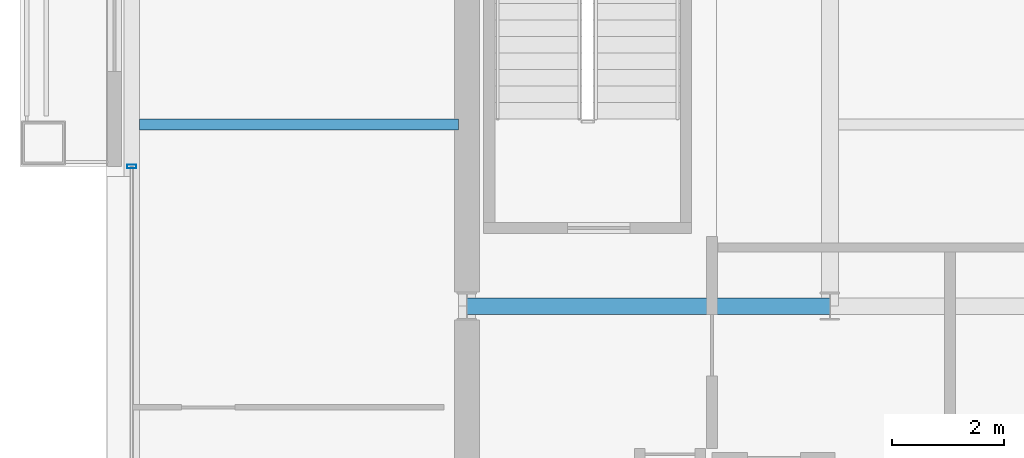
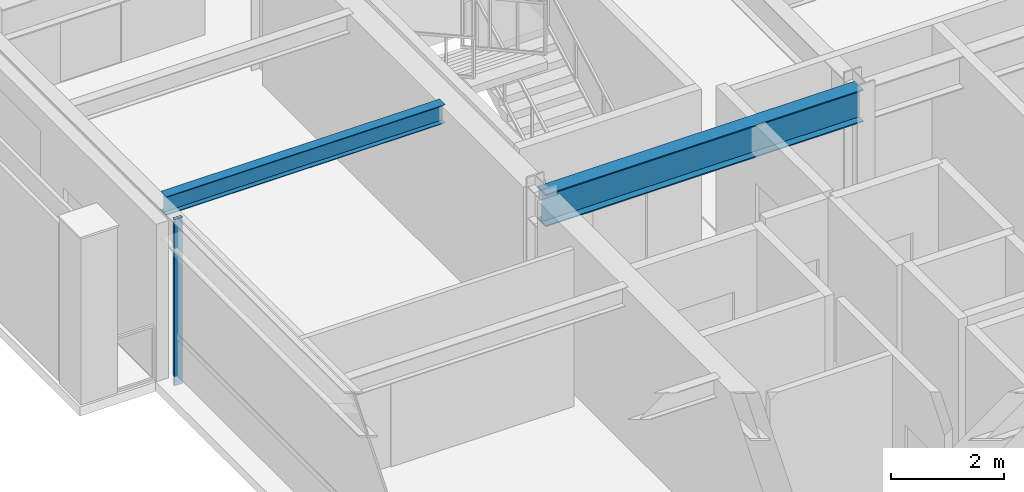
# One storey, part 9 of 28: 2 beams, 1 member, 1 element without a shape of its own.
"""IFC4 building model written with IfcOpenShell, lengths in metres."""

from ifc_helpers import new_model, si_unit, direction, frame, origin, origin_2d, place, context, subcontext, project, spatial, hollow_rectangle, i_section, extrude, material, layer, layer_set, material_profile, profile_set, type_object, element, aggregate, save


model = new_model("IFC4")

# Units and contexts
model_context = context("Model", 3, precision=1e-05, world=origin(), true_north=direction((0.0, 1.0)))
body_context = subcontext(model_context, "Body", "Model", "MODEL_VIEW")
ifc_project = project(units=[si_unit("LENGTHUNIT", "METRE"), si_unit("AREAUNIT", "SQUARE_METRE"), si_unit("VOLUMEUNIT", "CUBIC_METRE"), si_unit("PLANEANGLEUNIT", "RADIAN"), si_unit("MASSUNIT", "GRAM", prefix="KILO")], contexts=[model_context])

# Site, building, storey
site_placement = place(None, origin())
site = spatial("IfcSite", under=ifc_project, at=site_placement, CompositionType="ELEMENT")
building_placement = place(site_placement, origin())
building = spatial("IfcBuilding", under=site, at=building_placement, Name="Brelmoor Portico Tower", CompositionType="ELEMENT")
storey_placement = place(building_placement, frame((0.0, 0.0, 165.89990234375)))
storey = spatial("IfcBuildingStorey", under=building, at=storey_placement, Name="L43", CompositionType="ELEMENT", Elevation=165.89990234375)

# Beams
ifc_material_1 = material(Name="Steel Q355B", Category="steel")
ifc_material_profile_1 = material_profile(ifc_material_1, i_section(OverallWidth=0.199951171875, OverallDepth=0.39990234375, WebThickness=0.008056640625, FlangeThickness=0.012939453125, at=origin_2d()), Name="HN 400x200x8x13")
ifc_profile_set_1 = profile_set([ifc_material_profile_1], Name="Steel Q355B")
beam_type_1 = type_object("IfcBeamType", Name="BM-JS-400", PredefinedType="JOIST", material=ifc_profile_set_1)
beam_1_placement = place(storey_placement, frame((-20.409912109375, 3.25, 3.2001953125), z_axis=(1.0, 0.0, 0.0), x_axis=(0.0, 1.0, 0.0)))
element("IfcBeam", 1, at=beam_1_placement, inside=storey, type_object=beam_type_1, Name="L43 Secondary Wing Joist JS-W07", PredefinedType="JOIST", context=body_context, shape_type="SweptSolid", body=[
    extrude(i_section(OverallWidth=0.199951171875, OverallDepth=0.39990234375, WebThickness=0.008056640625, FlangeThickness=0.012939453125, at=origin_2d()), origin(), (0.0, 0.0, 1.0), 5.7099609375),
])
ifc_material_profile_2 = material_profile(ifc_material_1, i_section(OverallWidth=0.300048828125, OverallDepth=0.699951171875, WebThickness=0.012939453125, FlangeThickness=0.02392578125, at=origin_2d()), Name="HN 700x300x13x24")
ifc_profile_set_2 = profile_set([ifc_material_profile_2], Name="Steel Q355B")
beam_type_2 = type_object("IfcBeamType", Name="BM-PG-700", PredefinedType="BEAM", material=ifc_profile_set_2)
beam_2_placement = place(storey_placement, frame((-14.550048828125, 0.0, 3.050048828125), z_axis=(1.0, 0.0, 0.0), x_axis=(0.0, 1.0, 0.0)))
element("IfcBeam", 2, at=beam_2_placement, inside=storey, type_object=beam_type_2, Name="L43 Primary Floor Girder PG-16", PredefinedType="BEAM", context=body_context, shape_type="SweptSolid", body=[
    extrude(i_section(OverallWidth=0.300048828125, OverallDepth=0.699951171875, WebThickness=0.012939453125, FlangeThickness=0.02392578125, at=origin_2d()), origin(), (0.0, 0.0, 1.0), 6.5),
])

# Curtain wall, member
ifc_material_2 = material(Name="Anodised Aluminium Alloy 6063-T6", Category="aluminium")
ifc_layer = layer(ifc_material_2, 0.179931640625)
ifc_layer_set = layer_set([ifc_layer], Name="Anodised Aluminium Alloy 6063-T6")
curtain_wall_type = type_object("IfcCurtainWallType", Name="CW-TOWER-Z3", PredefinedType="NOTDEFINED", material=ifc_layer_set)
curtain_wall_placement = place(storey_placement, origin())
curtain_wall = element("IfcCurtainWall", 3, at=curtain_wall_placement, inside=storey, type_object=curtain_wall_type, Name="L43 Curtain Wall CW-L43-3L-2", PredefinedType="NOTDEFINED")
ifc_material_profile_3 = material_profile(ifc_material_2, hollow_rectangle(XDim=0.06494140625, YDim=0.1650390625, WallThickness=0.00390625, at=origin_2d()), Name="ALU MULLION 65x165")
ifc_profile_set_3 = profile_set([ifc_material_profile_3], Name="Anodised Aluminium Alloy 6063-T6")
member_type = type_object("IfcMemberType", Name="MB-CW-MULL-165", PredefinedType="MULLION", material=ifc_profile_set_3)
member_placement = place(storey_placement, frame((-20.550048828125, 2.5, -0.199951171875), z_axis=(0.0, 0.0, 1.0), x_axis=(0.0, 1.0, 0.0)))
member = element("IfcMember", 4, at=member_placement, type_object=member_type, Name="CW-L43-3L-2 Mullion 01", PredefinedType="MULLION", context=body_context, shape_type="SweptSolid", body=[
    extrude(hollow_rectangle(XDim=0.06494140625, YDim=0.1650390625, WallThickness=0.00390625, at=origin_2d()), origin(), (0.0, 0.0, 1.0), 3.60009765625),
])
aggregate(curtain_wall, [member])

save(model, "model.ifc")
